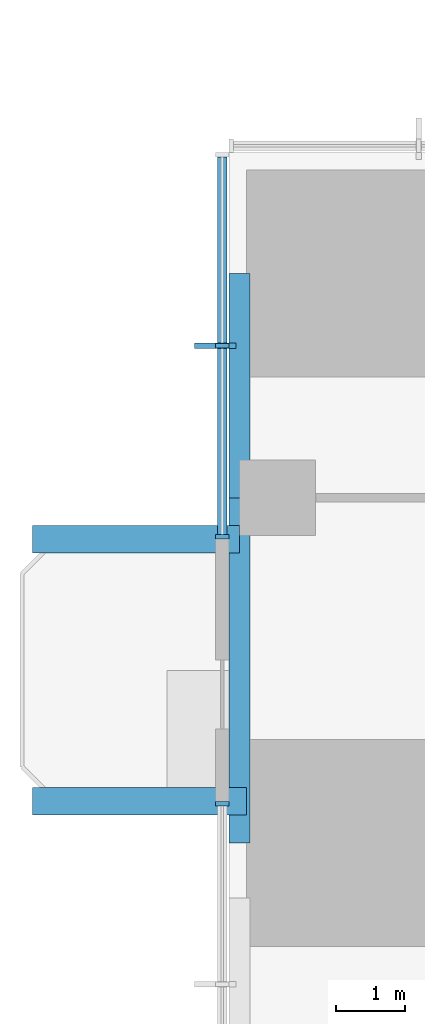
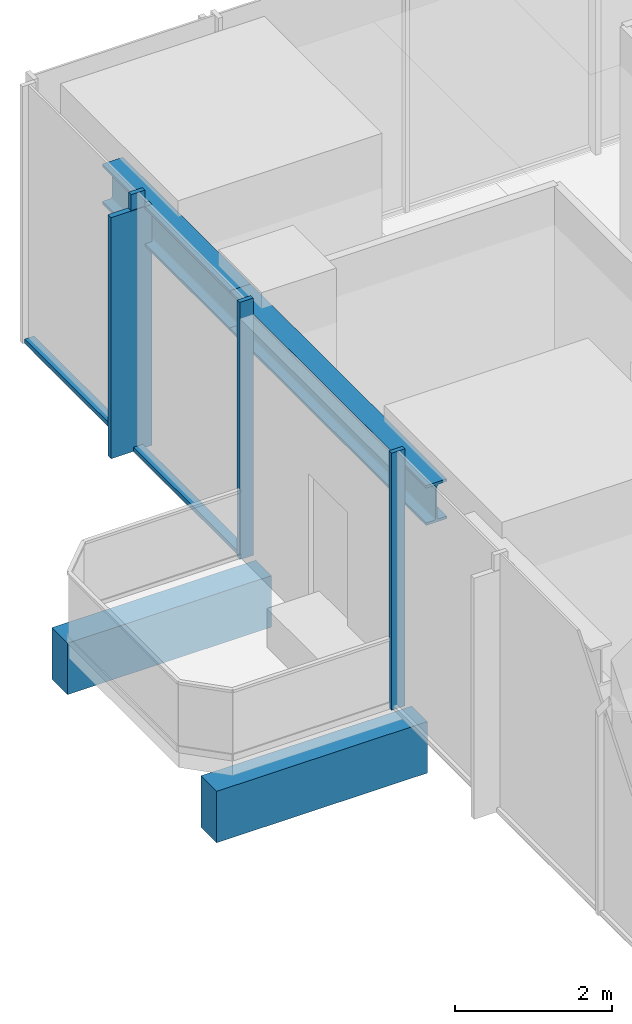
# One storey, part 3 of 13: 6 members, 4 beams, 2 elements without a shape of their own.
"""IFC4 building model written with IfcOpenShell, lengths in metres."""

from ifc_helpers import new_model, si_unit, direction, frame, origin, origin_2d, place, context, subcontext, project, spatial, rectangle, i_section, extrude, material, material_profile, profile_set, type_object, element, aggregate, save


model = new_model("IFC4")

# Units and contexts
model_context = context("Model", 3, precision=1e-05, world=origin(), true_north=direction((0.0, 1.0)))
body_context = subcontext(model_context, "Body", "Model", "MODEL_VIEW")
ifc_project = project(units=[si_unit("LENGTHUNIT", "METRE"), si_unit("AREAUNIT", "SQUARE_METRE"), si_unit("VOLUMEUNIT", "CUBIC_METRE"), si_unit("PLANEANGLEUNIT", "RADIAN"), si_unit("MASSUNIT", "GRAM", prefix="KILO")], contexts=[model_context])

# Site, building, storey
site_placement = place(None, origin())
site = spatial("IfcSite", under=ifc_project, at=site_placement, CompositionType="ELEMENT")
building_placement = place(site_placement, origin())
building = spatial("IfcBuilding", under=site, at=building_placement, Name="Svetlomir Tower", CompositionType="ELEMENT")
storey_placement = place(building_placement, frame((0.0, 0.0, 148.5)))
storey = spatial("IfcBuildingStorey", under=building, at=storey_placement, Name="L35", CompositionType="ELEMENT", Elevation=148.5)

# Beams
ifc_material_1 = material(Name="Concrete C60/75", Category="concrete")
ifc_material_profile_1 = material_profile(ifc_material_1, rectangle(XDim=0.39990234375, YDim=0.800048828125, at=origin_2d()), Name="RC 400x800")
ifc_profile_set_1 = profile_set([ifc_material_profile_1], Name="Concrete C60/75")
beam_type_1 = type_object("IfcBeamType", Name="BALCONY RIB RC 400x800", PredefinedType="BEAM", material=ifc_profile_set_1)
beam_1_placement = place(storey_placement, frame((0.25, 21.60009765625, -0.64990234375), z_axis=(-1.0, 0.0, 0.0), x_axis=(0.0, -1.0, 0.0)))
element("IfcBeam", 1, at=beam_1_placement, inside=storey, type_object=beam_type_1, Name="Balcony rib W 1 L35", PredefinedType="BEAM", context=body_context, shape_type="SweptSolid", body=[
    extrude(rectangle(XDim=0.39990234375, YDim=0.800048828125, at=origin_2d()), origin(), (0.0, 0.0, 1.0), 3.10009765625),
])
beam_2_placement = place(storey_placement, frame((0.14990234375, 25.39990234375, -0.64990234375), z_axis=(-1.0, 0.0, 0.0), x_axis=(0.0, -1.0, 0.0)))
element("IfcBeam", 2, at=beam_2_placement, inside=storey, type_object=beam_type_1, Name="Balcony rib W 2 L35", PredefinedType="BEAM", context=body_context, shape_type="SweptSolid", body=[
    extrude(rectangle(XDim=0.39990234375, YDim=0.800048828125, at=origin_2d()), origin(), (0.0, 0.0, 1.0), 3.0),
])

# Curtain wall, members
ifc_material_2 = material(Name="Bronze anodised aluminium curtain wall", Category="aluminium")
curtain_wall_type = type_object("IfcCurtainWallType", Name="CURTAIN WALL CW1 TOWER OFFICE", PredefinedType="NOTDEFINED", material=ifc_material_2)
curtain_wall_1_placement = place(storey_placement, origin())
curtain_wall_1 = element("IfcCurtainWall", 3, at=curtain_wall_1_placement, inside=storey, type_object=curtain_wall_type, Name="Curtain wall CW1 L35", PredefinedType="NOTDEFINED")
ifc_material_3 = material(Name="Bronze anodised aluminium", Category="aluminium")
ifc_material_profile_2 = material_profile(ifc_material_3, rectangle(XDim=0.080078125, YDim=0.60009765625, at=origin_2d()), Name="FIN 80x600")
ifc_profile_set_2 = profile_set([ifc_material_profile_2], Name="Bronze anodised aluminium 6063-T6")
member_type_1 = type_object("IfcMemberType", Name="BRONZE FIN 80x600", PredefinedType="USERDEFINED", material=ifc_profile_set_2)
member_1_placement = place(storey_placement, frame((-0.199951171875, 28.199951171875, 0.0), z_axis=(0.0, 0.0, 1.0), x_axis=(0.0, 1.0, 0.0)))
member_1 = element("IfcMember", 4, at=member_1_placement, type_object=member_type_1, Name="Bronze fin L35", ObjectType="FIN", PredefinedType="USERDEFINED", context=body_context, shape_type="SweptSolid", body=[
    extrude(rectangle(XDim=0.080078125, YDim=0.60009765625, at=origin_2d()), origin(), (0.0, 0.0, 1.0), 3.75),
])
ifc_material_4 = material(Name="Bronze anodised aluminium", Category="aluminium")
ifc_material_profile_3 = material_profile(ifc_material_4, rectangle(XDim=0.06494140625, YDim=0.199951171875, at=origin_2d()), Name="AL 65x200")
ifc_profile_set_3 = profile_set([ifc_material_profile_3], Name="Bronze anodised aluminium 6063-T6")
member_type_2 = type_object("IfcMemberType", Name="CW1 MULLION 65x200", PredefinedType="MULLION", material=ifc_profile_set_3)
member_2_placement = place(storey_placement, frame((-0.10009765625, 28.199951171875, 0.0), z_axis=(0.0, 0.0, 1.0), x_axis=(0.0, -1.0, 0.0)))
member_2 = element("IfcMember", 5, at=member_2_placement, type_object=member_type_2, Name="CW1 mullion 2", PredefinedType="MULLION", context=body_context, shape_type="SweptSolid", body=[
    extrude(rectangle(XDim=0.06494140625, YDim=0.199951171875, at=origin_2d()), origin(), (0.0, 0.0, 1.0), 4.0),
])
member_3_placement = place(storey_placement, frame((-0.10009765625, 25.4326171875, 0.0), z_axis=(0.0, 0.0, 1.0), x_axis=(0.0, -1.0, 0.0)))
member_3 = element("IfcMember", 6, at=member_3_placement, type_object=member_type_2, Name="CW1 mullion 3", PredefinedType="MULLION", context=body_context, shape_type="SweptSolid", body=[
    extrude(rectangle(XDim=0.06494140625, YDim=0.199951171875, at=origin_2d()), origin(), (0.0, 0.0, 1.0), 4.0),
])

# Curtain wall, member
curtain_wall_2_placement = place(storey_placement, origin())
curtain_wall_2 = element("IfcCurtainWall", 7, at=curtain_wall_2_placement, inside=storey, type_object=curtain_wall_type, Name="Curtain wall CW1 L35", PredefinedType="NOTDEFINED")
member_4_placement = place(storey_placement, frame((-0.10009765625, 21.5673828125, 0.0), z_axis=(0.0, 0.0, 1.0), x_axis=(0.0, -1.0, 0.0)))
member_4 = element("IfcMember", 8, at=member_4_placement, type_object=member_type_2, Name="CW1 mullion 1", PredefinedType="MULLION", context=body_context, shape_type="SweptSolid", body=[
    extrude(rectangle(XDim=0.06494140625, YDim=0.199951171875, at=origin_2d()), origin(), (0.0, 0.0, 1.0), 4.0),
])
aggregate(curtain_wall_2, [member_4])

# Member
ifc_material_5 = material(Name="Bronze anodised aluminium", Category="aluminium")
ifc_material_profile_4 = material_profile(ifc_material_5, rectangle(XDim=0.139892578125, YDim=0.06494140625, at=origin_2d()), Name="AL 140x65")
ifc_profile_set_4 = profile_set([ifc_material_profile_4], Name="Bronze anodised aluminium 6063-T6")
member_type_3 = type_object("IfcMemberType", Name="CW1 TRANSOM 65x140", PredefinedType="USERDEFINED", material=ifc_profile_set_4)
member_5_placement = place(storey_placement, frame((-0.10009765625, 30.93505859375, 0.032470703125), z_axis=(0.0, -1.0, 0.0), x_axis=(1.0, 0.0, 0.0)))
member_5 = element("IfcMember", 9, at=member_5_placement, type_object=member_type_3, Name="CW1 transom 1.1", ObjectType="TRANSOM", PredefinedType="USERDEFINED", context=body_context, shape_type="SweptSolid", body=[
    extrude(rectangle(XDim=0.139892578125, YDim=0.06494140625, at=origin_2d()), origin(), (0.0, 0.0, 1.0), 2.70263671875),
])

member_6_placement = place(storey_placement, frame((-0.10009765625, 28.16748046875, 0.032470703125), z_axis=(0.0, -1.0, 0.0), x_axis=(1.0, 0.0, 0.0)))
member_6 = element("IfcMember", 10, at=member_6_placement, type_object=member_type_3, Name="CW1 transom 2.1", ObjectType="TRANSOM", PredefinedType="USERDEFINED", context=body_context, shape_type="SweptSolid", body=[
    extrude(rectangle(XDim=0.139892578125, YDim=0.06494140625, at=origin_2d()), origin(), (0.0, 0.0, 1.0), 2.702392578125),
])

aggregate(curtain_wall_1, [member_2, member_3, member_5, member_6, member_1])

# Beams
ifc_material_6 = material(Name="Steel S355", Category="steel")
ifc_material_profile_5 = material_profile(ifc_material_6, i_section(OverallWidth=0.304931640625, OverallDepth=0.6201171875, WebThickness=0.02099609375, FlangeThickness=0.0400390625, FilletRadius=0.027099609375, at=origin_2d()), Name="HEM 600")
ifc_profile_set_5 = profile_set([ifc_material_profile_5], Name="Steel S355")
beam_type_2 = type_object("IfcBeamType", Name="EDGE BEAM HEM 600", PredefinedType="SPANDREL", material=ifc_profile_set_5)
beam_3_placement = place(storey_placement, frame((0.152587890625, 21.0, 3.43994140625), z_axis=(0.0, 1.0, 0.0), x_axis=(-1.0, 0.0, 0.0)))
element("IfcBeam", 11, at=beam_3_placement, inside=storey, type_object=beam_type_2, Name="Edge beam 0/21 to 0/26 under L36", PredefinedType="SPANDREL", context=body_context, shape_type="SweptSolid", body=[
    extrude(i_section(OverallWidth=0.304931640625, OverallDepth=0.6201171875, WebThickness=0.02099609375, FlangeThickness=0.0400390625, FilletRadius=0.027099609375, at=origin_2d()), origin(), (0.0, 0.0, 1.0), 5.0),
])
beam_4_placement = place(storey_placement, frame((0.152587890625, 26.0, 3.43994140625), z_axis=(0.0, 1.0, 0.0), x_axis=(-1.0, 0.0, 0.0)))
element("IfcBeam", 12, at=beam_4_placement, inside=storey, type_object=beam_type_2, Name="Edge beam 0/26 to 0/31 under L36", PredefinedType="SPANDREL", context=body_context, shape_type="SweptSolid", body=[
    extrude(i_section(OverallWidth=0.304931640625, OverallDepth=0.6201171875, WebThickness=0.02099609375, FlangeThickness=0.0400390625, FilletRadius=0.027099609375, at=origin_2d()), origin(), (0.0, 0.0, 1.0), 3.25),
])

save(model, "model.ifc")
